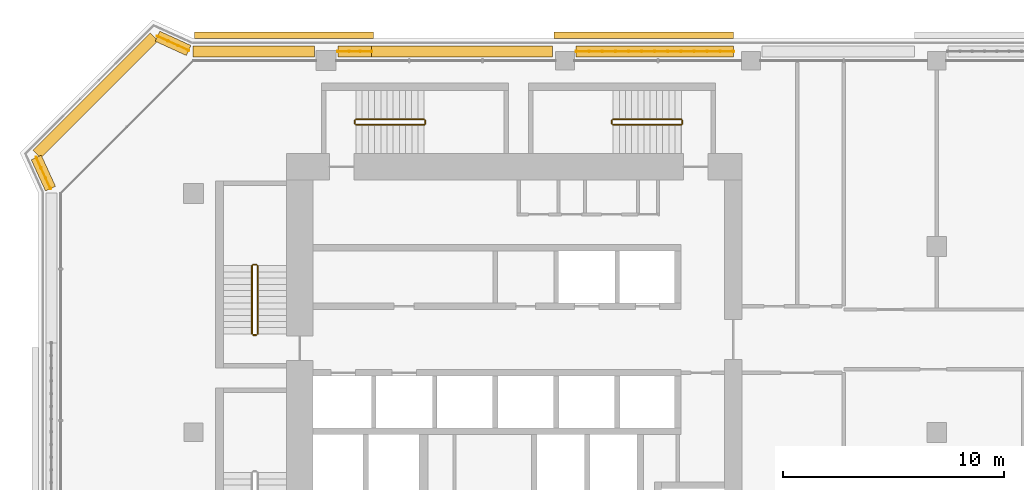
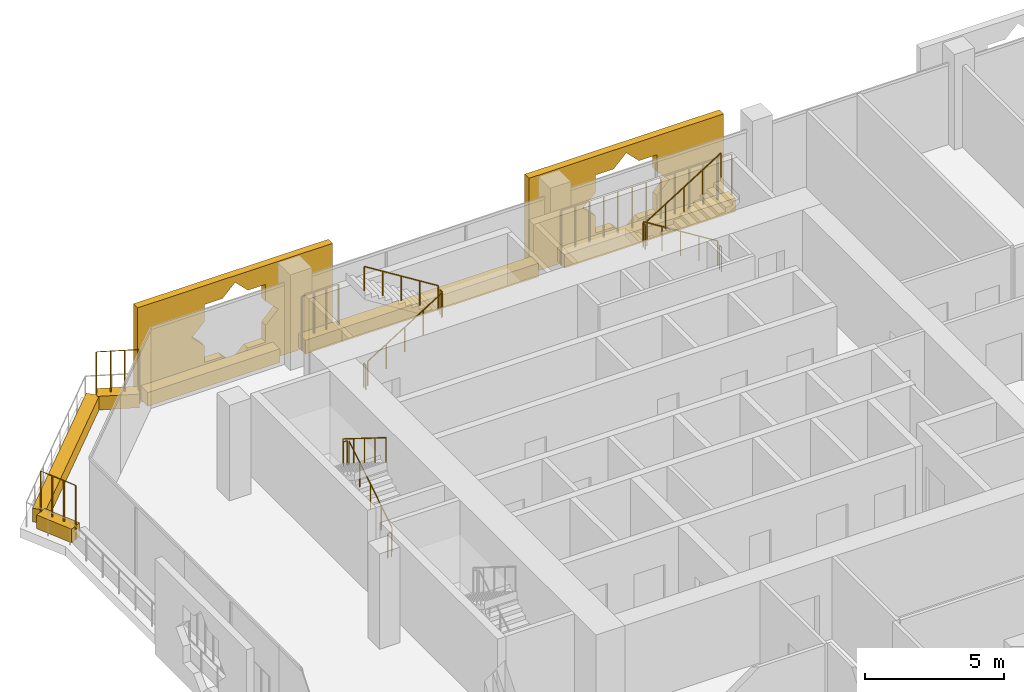
# One storey, part 20 of 22: 16 railings, 9 coverings.
"""IFC4 building model written with IfcOpenShell, lengths in metres."""

import ifcopenshell
import ifcopenshell.guid

model = None  # the IFC model being written
_history = None  # IfcOwnerHistory: only IFC2X3 demands one
_inside = {}  # id of a spatial element -> (the spatial element, [elements in it])
_under = {}  # id of a project, library or spatial element -> (it, [spatial elements below it])
_declared = {}  # id of a project -> (the project, [libraries it declares])
_typed = {}  # id of a type object -> (the type object, [elements of that type])
_made_of = {}  # id of a material, layer set ... -> (it, [elements and type objects made of it])


def new_model(schema):
    """Start an empty IFC model of exactly this schema.

    Asked for "IFC4X3", IfcOpenShell would pick the latest addendum, in which some entities
    have other attributes; the version numbers below select the first issue.
    IFC2X3 requires an IfcOwnerHistory on every rooted entity: one is made here for all.
    """
    global model, _history
    if schema == "IFC4X3":
        model = ifcopenshell.file(schema_version=(4, 3, 0, 0))
    else:
        model = ifcopenshell.file(schema=schema)
    _inside.clear()
    _under.clear()
    _declared.clear()
    _typed.clear()
    _made_of.clear()
    _history = None
    if model.schema == "IFC2X3":
        org = make("IfcOrganization", Name="unknown")
        user = make(
            "IfcPersonAndOrganization",
            ThePerson=make("IfcPerson", FamilyName="unknown"),
            TheOrganization=org,
        )
        app = make(
            "IfcApplication",
            ApplicationDeveloper=org,
            Version="unknown",
            ApplicationFullName="unknown",
            ApplicationIdentifier="unknown",
        )
        _history = make(
            "IfcOwnerHistory",
            OwningUser=user,
            OwningApplication=app,
            ChangeAction="ADDED",
            CreationDate=0,
        )
    return model


def make(cls, **values):
    """One entity of the class cls with the attributes given. An attribute that is None is left unset."""
    return model.create_entity(
        cls, **{name: value for name, value in values.items() if value is not None}
    )


def rooted(cls, **values):
    """An entity with a GlobalId (a new one), such as an element, a storey or a relation."""
    return make(cls, GlobalId=ifcopenshell.guid.new(), OwnerHistory=_history, **values)


def si_unit(unit_type, name, prefix=None):
    """IfcSIUnit, for example si_unit("LENGTHUNIT", "METRE", prefix="MILLI")."""
    return make("IfcSIUnit", UnitType=unit_type, Prefix=prefix, Name=name)


def assignment(units):
    """IfcUnitAssignment: the units of a project."""
    return None if units is None else make("IfcUnitAssignment", Units=units)


def point(xyz):
    """IfcCartesianPoint."""
    return None if xyz is None else make("IfcCartesianPoint", Coordinates=xyz)


def direction(xyz):
    """IfcDirection."""
    return None if xyz is None else make("IfcDirection", DirectionRatios=xyz)


def frame(location, z_axis=None, x_axis=None):
    """IfcAxis2Placement3D, a coordinate frame: its origin and axes. An axis left out is left unset."""
    return make(
        "IfcAxis2Placement3D",
        Location=point(location),
        Axis=direction(z_axis),
        RefDirection=direction(x_axis),
    )


def frame_2d(location, x_axis=None):
    """IfcAxis2Placement2D, a coordinate frame in the plane: its origin and x axis."""
    return make(
        "IfcAxis2Placement2D", Location=point(location), RefDirection=direction(x_axis)
    )


def origin():
    """The frame at (0, 0, 0) with its axes left unset."""
    return frame((0.0, 0.0, 0.0))


def origin_2d():
    """The frame at (0, 0) in the plane with its x axis left unset."""
    return frame_2d((0.0, 0.0))


def place(relative_to, where):
    """IfcLocalPlacement: puts the frame where relative to a parent placement (None: the world)."""
    return make(
        "IfcLocalPlacement", PlacementRelTo=relative_to, RelativePlacement=where
    )


def context(
    kind, dimensions, precision=None, world=None, true_north=None, identifier=None
):
    """IfcGeometricRepresentationContext, for example the 3D "Model" context."""
    return make(
        "IfcGeometricRepresentationContext",
        ContextIdentifier=identifier,
        ContextType=kind,
        CoordinateSpaceDimension=dimensions,
        Precision=precision,
        WorldCoordinateSystem=world,
        TrueNorth=true_north,
    )


def subcontext(parent, identifier, kind, view, scale=None):
    """IfcGeometricRepresentationSubContext, for example "Body" below "Model"."""
    return make(
        "IfcGeometricRepresentationSubContext",
        ContextIdentifier=identifier,
        ContextType=kind,
        ParentContext=parent,
        TargetScale=scale,
        TargetView=view,
    )


def project(units=None, contexts=None):
    """IfcProject with its units and contexts."""
    return rooted(
        "IfcProject",
        Name="project",
        RepresentationContexts=contexts,
        UnitsInContext=assignment(units),
    )


def spatial(cls, under=None, at=None, **own):
    """A site, building, storey or space (cls), placed at a placement, below another one or the project."""
    s = rooted(cls, ObjectPlacement=at, **own)
    if under is not None:
        _under.setdefault(under.id(), (under, []))[1].append(s)
    return s


def polyline(points):
    """IfcPolyline through the points."""
    return make("IfcPolyline", Points=[point(p) for p in points])


def profile(cls, at=None, kind="AREA", **sizes):
    """A parametric profile (cls). Its sizes go by their IFC names, for example OverallWidth=200.0."""
    return make(cls, ProfileType=kind, Position=at, **sizes)


def rectangle(**sizes):
    """IfcRectangleProfileDef."""
    return profile("IfcRectangleProfileDef", **sizes)


def circle(**sizes):
    """IfcCircleProfileDef."""
    return profile("IfcCircleProfileDef", **sizes)


def outline(outer, holes=None, kind="AREA"):
    """IfcArbitraryClosedProfileDef: a profile drawn as a closed curve; with holes, ...WithVoids."""
    if holes is None:
        return make("IfcArbitraryClosedProfileDef", ProfileType=kind, OuterCurve=outer)
    return make(
        "IfcArbitraryProfileDefWithVoids",
        ProfileType=kind,
        OuterCurve=outer,
        InnerCurves=holes,
    )


def extrude(swept, where, along, depth):
    """IfcExtrudedAreaSolid: the profile swept, set in the frame where, extruded along a direction by depth."""
    return make(
        "IfcExtrudedAreaSolid",
        SweptArea=swept,
        Position=where,
        ExtrudedDirection=direction(along),
        Depth=depth,
    )


def shape(context_of_items, identifier, shape_type, items):
    """IfcShapeRepresentation: the items that make up one representation, for example the "Body"."""
    return make(
        "IfcShapeRepresentation",
        ContextOfItems=context_of_items,
        RepresentationIdentifier=identifier,
        RepresentationType=shape_type,
        Items=items,
    )


def material(Name=None, Category=None):
    """IfcMaterial."""
    return make("IfcMaterial", Name=Name, Category=Category)


def material_profile(
    of_material, cross_section, Name=None, Category=None, Priority=None
):
    """IfcMaterialProfile: a cross section and its material."""
    return make(
        "IfcMaterialProfile",
        Name=Name,
        Material=of_material,
        Profile=cross_section,
        Priority=Priority,
        Category=Category,
    )


def profile_set(profiles, Name=None, composite=None):
    """IfcMaterialProfileSet."""
    return make(
        "IfcMaterialProfileSet",
        Name=Name,
        MaterialProfiles=profiles,
        CompositeProfile=composite,
    )


def made_of(thing, what):
    """Note that an element or type object is made of a material, layer set ...; save() writes the relation."""
    if what is not None:
        _made_of.setdefault(what.id(), (what, []))[1].append(thing)
    return thing


def type_object(cls, material=None, **own):
    """A type object (cls), such as IfcWallType, which elements share."""
    return made_of(rooted(cls, **own), material)


def element(
    cls,
    number,
    at=None,
    inside=None,
    cuts=None,
    type_object=None,
    material=None,
    context=None,
    identifier="Body",
    shape_type=None,
    held_by="IfcProductDefinitionShape",
    body=None,
    shapes=None,
    **own,
):
    """One element of the class cls, such as IfcWall. Its Tag is "e" and its number.

    at: its placement. inside: the storey or other place that contains it. cuts: it is an
    opening in that element (IfcRelVoidsElement). A single representation is given by context,
    identifier, shape_type and body (its items); several are given by shapes. held_by: the class
    of the entity that holds the representations. save() writes the other relations.
    """
    e = rooted(cls, Tag="e%d" % number, ObjectPlacement=at, **own)
    if body is not None:
        shapes = [shape(context, identifier, shape_type, body)]
    if shapes is not None:
        e.Representation = make(held_by, Representations=shapes)
    if inside is not None:
        _inside.setdefault(inside.id(), (inside, []))[1].append(e)
    if cuts is not None:
        rooted(
            "IfcRelVoidsElement", RelatingBuildingElement=cuts, RelatedOpeningElement=e
        )
    if type_object is not None:
        _typed.setdefault(type_object.id(), (type_object, []))[1].append(e)
    return made_of(e, material)


def aggregate(whole, parts):
    """IfcRelAggregates: a whole, such as a stair, and the parts it consists of."""
    return rooted("IfcRelAggregates", RelatingObject=whole, RelatedObjects=parts)


def save(model, path):
    """Write the relations noted so far, then the file.

    IfcRelAggregates (storeys below a building ...), IfcRelContainedInSpatialStructure (elements
    in a storey), IfcRelDefinesByType, IfcRelAssociatesMaterial and IfcRelDeclares: one each for
    every whole, place, type object, material and project.
    """
    for whole, parts in _under.values():
        aggregate(whole, parts)
    for where, things in _inside.values():
        rooted(
            "IfcRelContainedInSpatialStructure",
            RelatedElements=things,
            RelatingStructure=where,
        )
    for kind, things in _typed.values():
        rooted("IfcRelDefinesByType", RelatedObjects=things, RelatingType=kind)
    for what, things in _made_of.values():
        rooted("IfcRelAssociatesMaterial", RelatedObjects=things, RelatingMaterial=what)
    for by, libraries in _declared.values():
        rooted("IfcRelDeclares", RelatingContext=by, RelatedDefinitions=libraries)
    model.write(path)


model = new_model("IFC4")

# Units and contexts
model_context = context("Model", 3, precision=1e-05, world=origin(), true_north=direction((0.0, 1.0)))
body_context = subcontext(model_context, "Body", "Model", "MODEL_VIEW")
ifc_project = project(units=[si_unit("LENGTHUNIT", "METRE"), si_unit("AREAUNIT", "SQUARE_METRE"), si_unit("VOLUMEUNIT", "CUBIC_METRE"), si_unit("PLANEANGLEUNIT", "RADIAN"), si_unit("MASSUNIT", "GRAM", prefix="KILO")], contexts=[model_context])

# Site, building, storey
site_placement = place(None, origin())
site = spatial("IfcSite", under=ifc_project, at=site_placement, CompositionType="ELEMENT")
building_placement = place(site_placement, origin())
building = spatial("IfcBuilding", under=site, at=building_placement, Name="Kawkab Arch Medical Tower", CompositionType="ELEMENT")
storey_placement = place(building_placement, frame((0.0, 0.0, 255.800048828125)))
storey = spatial("IfcBuildingStorey", under=building, at=storey_placement, Name="L59", CompositionType="ELEMENT", Elevation=255.800048828125)

# Coverings
ifc_material_1 = material(Name="Bronze anodised aluminium mashrabiya panel, eight-point star pattern", Category="aluminium")
ifc_material_profile_1 = material_profile(ifc_material_1, outline(polyline([(-4.050048828125, -2.10009765625), (4.050048828125, -2.10009765625), (4.050048828125, 2.10009765625), (-4.050048828125, 2.10009765625), (-4.050048828125, -2.10009765625)]), holes=[polyline([(1.800048828125, 0.0), (1.272705078125, 0.527099609375), (1.272705078125, 1.272705078125), (0.527099609375, 1.272705078125), (0.0, 1.800048828125), (-0.527099609375, 1.272705078125), (-1.272705078125, 1.272705078125), (-1.272705078125, 0.527099609375), (-1.800048828125, 0.0), (-1.272705078125, -0.527099609375), (-1.272705078125, -1.272705078125), (-0.527099609375, -1.272705078125), (0.0, -1.800048828125), (0.527099609375, -1.272705078125), (1.272705078125, -1.272705078125), (1.272705078125, -0.527099609375), (1.800048828125, 0.0)])]), Name="Mashrabiya panel 8100x4200")
ifc_profile_set_1 = profile_set([ifc_material_profile_1], Name="Bronze anodised aluminium mashrabiya panel, eight-point star pattern")
covering_type_1 = type_object("IfcCoveringType", Name="Mashrabiya panel 8100 x 4200", PredefinedType="USERDEFINED", material=ifc_profile_set_1)
for number, where, z_axis, x_axis, name in (
    (1, (4.089599609375, 1.0, 1.699951171875), (0.0, 1.0, 0.0), (-1.0, 0.0, 0.0), "Mashrabiya panel L59.LOG-01-01.5"),
    (2, (20.3564453125, 1.0, 1.699951171875), (0.0, 1.0, 0.0), (-1.0, 0.0, 0.0), "Mashrabiya panel L59.LOG-01-01.6"),
):
    element("IfcCovering", number, at=place(storey_placement, frame(where, z_axis=z_axis, x_axis=x_axis)), inside=storey, type_object=covering_type_1, Name=name, ObjectType="SCREEN", PredefinedType="USERDEFINED", context=body_context, shape_type="SweptSolid", body=[
        extrude(outline(polyline([(-4.050048828125, -2.10009765625), (4.050048828125, -2.10009765625), (4.050048828125, 2.10009765625), (-4.050048828125, 2.10009765625), (-4.050048828125, -2.10009765625)]), holes=[polyline([(1.800048828125, 0.0), (1.272705078125, 0.527099609375), (1.272705078125, 1.272705078125), (0.527099609375, 1.272705078125), (0.0, 1.800048828125), (-0.527099609375, 1.272705078125), (-1.272705078125, 1.272705078125), (-1.272705078125, 0.527099609375), (-1.800048828125, 0.0), (-1.272705078125, -0.527099609375), (-1.272705078125, -1.272705078125), (-0.527099609375, -1.272705078125), (0.0, -1.800048828125), (0.527099609375, -1.272705078125), (1.272705078125, -1.272705078125), (1.272705078125, -0.527099609375), (1.800048828125, 0.0)])]), origin(), (0.0, 0.0, 1.0), 0.300048828125),
    ])
ifc_material_2 = material(Name="Planting soil in a precast trough", Category="concrete")
ifc_material_profile_2 = material_profile(ifc_material_2, rectangle(XDim=0.5, YDim=0.60009765625, at=origin_2d()), Name="Trough 500x600")
ifc_profile_set_2 = profile_set([ifc_material_profile_2], Name="Planting soil in a precast trough")
covering_type_2 = type_object("IfcCoveringType", Name="Planter trough 500 x 600", PredefinedType="USERDEFINED", material=ifc_profile_set_2)
covering_1_placement = place(storey_placement, frame((-6.4609375, -5.782958984375, 0.300048828125), z_axis=(-0.415363486165, 0.909655525109, 0.0), x_axis=(-0.909655525109, -0.415363486165, 0.0)))
element("IfcCovering", 3, at=covering_1_placement, inside=storey, type_object=covering_type_2, Name="Planter L59.LOG-01-01.13", ObjectType="PLANTER", PredefinedType="USERDEFINED", context=body_context, shape_type="SweptSolid", body=[
    extrude(rectangle(XDim=0.5, YDim=0.60009765625, at=origin_2d()), origin(), (0.0, 0.0, 1.0), 1.54345703125),
])
covering_2_placement = place(storey_placement, frame((-7.072998046875, -4.217041015625, 0.300048828125), z_axis=(0.707106781187, 0.707106781187, 0.0), x_axis=(-0.707106781187, 0.707106781187, 0.0)))
element("IfcCovering", 4, at=covering_2_placement, inside=storey, type_object=covering_type_2, Name="Planter L59.LOG-01-01.14", ObjectType="PLANTER", PredefinedType="USERDEFINED", context=body_context, shape_type="SweptSolid", body=[
    extrude(rectangle(XDim=0.5, YDim=0.60009765625, at=origin_2d()), origin(), (0.0, 0.0, 1.0), 7.481201171875),
])
covering_3_placement = place(storey_placement, frame((-1.62109375, 1.10205078125, 0.300048828125), z_axis=(0.909655525109, -0.415363486165, 0.0), x_axis=(0.415363486165, 0.909655525109, 0.0)))
element("IfcCovering", 5, at=covering_3_placement, inside=storey, type_object=covering_type_2, Name="Planter L59.LOG-01-01.15", ObjectType="PLANTER", PredefinedType="USERDEFINED", context=body_context, shape_type="SweptSolid", body=[
    extrude(rectangle(XDim=0.5, YDim=0.60009765625, at=origin_2d()), origin(), (0.0, 0.0, 1.0), 1.54345703125),
])
covering_4_placement = place(storey_placement, frame((-0.02587890625, 0.419921875, 0.300048828125), z_axis=(1.0, 0.0, 0.0), x_axis=(0.0, 1.0, 0.0)))
element("IfcCovering", 6, at=covering_4_placement, inside=storey, type_object=covering_type_2, Name="Planter L59.LOG-01-01.16", ObjectType="PLANTER", PredefinedType="USERDEFINED", context=body_context, shape_type="SweptSolid", body=[
    extrude(rectangle(XDim=0.5, YDim=0.60009765625, at=origin_2d()), origin(), (0.0, 0.0, 1.0), 5.495849609375),
])
covering_5_placement = place(storey_placement, frame((6.530029296875, 0.419921875, 0.300048828125), z_axis=(1.0, 0.0, 0.0), x_axis=(0.0, 1.0, 0.0)))
element("IfcCovering", 7, at=covering_5_placement, inside=storey, type_object=covering_type_2, Name="Planter L59.LOG-01-01.17", ObjectType="PLANTER", PredefinedType="USERDEFINED", context=body_context, shape_type="SweptSolid", body=[
    extrude(rectangle(XDim=0.5, YDim=0.60009765625, at=origin_2d()), origin(), (0.0, 0.0, 1.0), 1.52294921875),
])
covering_6_placement = place(storey_placement, frame((8.052978515625, 0.419921875, 0.300048828125), z_axis=(1.0, 0.0, 0.0), x_axis=(0.0, 1.0, 0.0)))
element("IfcCovering", 8, at=covering_6_placement, inside=storey, type_object=covering_type_2, Name="Planter L59.LOG-01-01.18", ObjectType="PLANTER", PredefinedType="USERDEFINED", context=body_context, shape_type="SweptSolid", body=[
    extrude(rectangle(XDim=0.5, YDim=0.60009765625, at=origin_2d()), origin(), (0.0, 0.0, 1.0), 8.178955078125),
])
covering_7_placement = place(storey_placement, frame((17.304931640625, 0.419921875, 0.300048828125), z_axis=(1.0, 0.0, 0.0), x_axis=(0.0, 1.0, 0.0)))
element("IfcCovering", 9, at=covering_7_placement, inside=storey, type_object=covering_type_2, Name="Planter L59.LOG-01-01.19", ObjectType="PLANTER", PredefinedType="USERDEFINED", context=body_context, shape_type="SweptSolid", body=[
    extrude(rectangle(XDim=0.5, YDim=0.60009765625, at=origin_2d()), origin(), (0.0, 0.0, 1.0), 7.10595703125),
])

# Railings
ifc_material_3 = material(Name="Bronze anodised aluminium trellis for climbing plants", Category="aluminium")
railing_type_1 = type_object("IfcRailingType", Name="Planting trellis 2400", PredefinedType="USERDEFINED", material=ifc_material_3)
railing_1_placement = place(storey_placement, frame((-6.4609375, -5.782958984375, 0.0)))
element("IfcRailing", 10, at=railing_1_placement, inside=storey, type_object=railing_type_1, Name="Planting trellis L59.LOG-01-01.13", ObjectType="TRELLIS", PredefinedType="USERDEFINED", context=body_context, shape_type="SweptSolid", body=[
    extrude(circle(Radius=0.01513671875, at=origin_2d()), frame((0.0, 0.0, 2.384765625), z_axis=(-0.415363486165, 0.909655525109, 0.0), x_axis=(-0.909655525109, -0.415363486165, 0.0)), (0.0, 0.0, 1.0), 1.54345703125),
    extrude(circle(Radius=0.030029296875, at=origin_2d()), origin(), (0.0, 0.0, 1.0), 2.369873046875),
    extrude(circle(Radius=0.030029296875, at=origin_2d()), frame((-0.213623046875, 0.468017578125, 0.0)), (0.0, 0.0, 1.0), 2.369873046875),
    extrude(circle(Radius=0.030029296875, at=origin_2d()), frame((-0.427490234375, 0.93603515625, 0.0)), (0.0, 0.0, 1.0), 2.369873046875),
    extrude(circle(Radius=0.030029296875, at=origin_2d()), frame((-0.64111328125, 1.404052734375, 0.0)), (0.0, 0.0, 1.0), 2.369873046875),
])
railing_2_placement = place(storey_placement, frame((-1.62109375, 1.10205078125, 0.0)))
element("IfcRailing", 11, at=railing_2_placement, inside=storey, type_object=railing_type_1, Name="Planting trellis L59.LOG-01-01.15", ObjectType="TRELLIS", PredefinedType="USERDEFINED", context=body_context, shape_type="SweptSolid", body=[
    extrude(circle(Radius=0.01513671875, at=origin_2d()), frame((0.0, 0.0, 2.384765625), z_axis=(0.909655525109, -0.415363486165, 0.0), x_axis=(0.415363486165, 0.909655525109, 0.0)), (0.0, 0.0, 1.0), 1.54345703125),
    extrude(circle(Radius=0.030029296875, at=origin_2d()), origin(), (0.0, 0.0, 1.0), 2.369873046875),
    extrude(circle(Radius=0.030029296875, at=origin_2d()), frame((0.468017578125, -0.213623046875, 0.0)), (0.0, 0.0, 1.0), 2.369873046875),
    extrude(circle(Radius=0.030029296875, at=origin_2d()), frame((0.93603515625, -0.427490234375, 0.0)), (0.0, 0.0, 1.0), 2.369873046875),
    extrude(circle(Radius=0.030029296875, at=origin_2d()), frame((1.404052734375, -0.64111328125, 0.0)), (0.0, 0.0, 1.0), 2.369873046875),
])
railing_3_placement = place(storey_placement, frame((6.530029296875, 0.419921875, 0.0)))
element("IfcRailing", 12, at=railing_3_placement, inside=storey, type_object=railing_type_1, Name="Planting trellis L59.LOG-01-01.17", ObjectType="TRELLIS", PredefinedType="USERDEFINED", context=body_context, shape_type="SweptSolid", body=[
    extrude(circle(Radius=0.01513671875, at=origin_2d()), frame((0.0, 0.0, 2.384765625), z_axis=(1.0, 0.0, 0.0), x_axis=(0.0, 1.0, 0.0)), (0.0, 0.0, 1.0), 1.52294921875),
    extrude(circle(Radius=0.030029296875, at=origin_2d()), origin(), (0.0, 0.0, 1.0), 2.369873046875),
    extrude(circle(Radius=0.030029296875, at=origin_2d()), frame((0.507568359375, 0.0, 0.0)), (0.0, 0.0, 1.0), 2.369873046875),
    extrude(circle(Radius=0.030029296875, at=origin_2d()), frame((1.015380859375, 0.0, 0.0)), (0.0, 0.0, 1.0), 2.369873046875),
    extrude(circle(Radius=0.030029296875, at=origin_2d()), frame((1.52294921875, 0.0, 0.0)), (0.0, 0.0, 1.0), 2.369873046875),
])
railing_4_placement = place(storey_placement, frame((17.304931640625, 0.419921875, 0.0)))
element("IfcRailing", 13, at=railing_4_placement, inside=storey, type_object=railing_type_1, Name="Planting trellis L59.LOG-01-01.19", ObjectType="TRELLIS", PredefinedType="USERDEFINED", context=body_context, shape_type="SweptSolid", body=[
    extrude(circle(Radius=0.01513671875, at=origin_2d()), frame((0.0, 0.0, 2.384765625), z_axis=(1.0, 0.0, 0.0), x_axis=(0.0, 1.0, 0.0)), (0.0, 0.0, 1.0), 7.10595703125),
    extrude(circle(Radius=0.030029296875, at=origin_2d()), origin(), (0.0, 0.0, 1.0), 2.369873046875),
    extrude(circle(Radius=0.030029296875, at=origin_2d()), frame((0.59228515625, 0.0, 0.0)), (0.0, 0.0, 1.0), 2.369873046875),
    extrude(circle(Radius=0.030029296875, at=origin_2d()), frame((1.184326171875, 0.0, 0.0)), (0.0, 0.0, 1.0), 2.369873046875),
    extrude(circle(Radius=0.030029296875, at=origin_2d()), frame((1.7763671875, 0.0, 0.0)), (0.0, 0.0, 1.0), 2.369873046875),
    extrude(circle(Radius=0.030029296875, at=origin_2d()), frame((2.36865234375, 0.0, 0.0)), (0.0, 0.0, 1.0), 2.369873046875),
    extrude(circle(Radius=0.030029296875, at=origin_2d()), frame((2.9609375, 0.0, 0.0)), (0.0, 0.0, 1.0), 2.369873046875),
    extrude(circle(Radius=0.030029296875, at=origin_2d()), frame((3.552978515625, 0.0, 0.0)), (0.0, 0.0, 1.0), 2.369873046875),
    extrude(circle(Radius=0.030029296875, at=origin_2d()), frame((4.14501953125, 0.0, 0.0)), (0.0, 0.0, 1.0), 2.369873046875),
    extrude(circle(Radius=0.030029296875, at=origin_2d()), frame((4.7373046875, 0.0, 0.0)), (0.0, 0.0, 1.0), 2.369873046875),
    extrude(circle(Radius=0.030029296875, at=origin_2d()), frame((5.32958984375, 0.0, 0.0)), (0.0, 0.0, 1.0), 2.369873046875),
    extrude(circle(Radius=0.030029296875, at=origin_2d()), frame((5.921630859375, 0.0, 0.0)), (0.0, 0.0, 1.0), 2.369873046875),
    extrude(circle(Radius=0.030029296875, at=origin_2d()), frame((6.513671875, 0.0, 0.0)), (0.0, 0.0, 1.0), 2.369873046875),
    extrude(circle(Radius=0.030029296875, at=origin_2d()), frame((7.10595703125, 0.0, 0.0)), (0.0, 0.0, 1.0), 2.369873046875),
])
ifc_material_4 = material(Name="Stainless steel", Category="steel")
railing_type_2 = type_object("IfcRailingType", Name="Stair guard 1100", PredefinedType="GUARDRAIL", material=ifc_material_4)
railing_5_placement = place(storey_placement, frame((2.89990234375, -12.35009765625, 0.175048828125)))
element("IfcRailing", 14, at=railing_5_placement, inside=storey, type_object=railing_type_2, Name="L59 ST1 stair guard 1", PredefinedType="GUARDRAIL", context=body_context, shape_type="SweptSolid", body=[
    extrude(circle(Radius=0.02392578125, at=origin_2d()), frame((0.0, 0.0, 1.076171875), z_axis=(0.0, 0.848028513186, 0.529950602248), x_axis=(-1.0, 0.0, 0.0)), (0.0, 0.0, 1.0), 3.632080078125),
    extrude(circle(Radius=0.02099609375, at=origin_2d()), origin(), (0.0, 0.0, 1.0), 1.052001953125),
    extrude(circle(Radius=0.02099609375, at=origin_2d()), frame((0.0, 0.77001953125, 0.481201171875)), (0.0, 0.0, 1.0), 1.052001953125),
    extrude(circle(Radius=0.02099609375, at=origin_2d()), frame((0.0, 1.5400390625, 0.96240234375)), (0.0, 0.0, 1.0), 1.052001953125),
    extrude(circle(Radius=0.02099609375, at=origin_2d()), frame((0.0, 2.31005859375, 1.443603515625)), (0.0, 0.0, 1.0), 1.052001953125),
    extrude(circle(Radius=0.02099609375, at=origin_2d()), frame((0.0, 3.080078125, 1.9248046875)), (0.0, 0.0, 1.0), 1.052001953125),
])
railing_6_placement = place(storey_placement, frame((2.85009765625, -9.219970703125, 2.099853515625)))
element("IfcRailing", 15, at=railing_6_placement, inside=storey, type_object=railing_type_2, Name="L59 ST1 stair guard 2", PredefinedType="GUARDRAIL", context=body_context, shape_type="SweptSolid", body=[
    extrude(circle(Radius=0.02392578125, at=origin_2d()), frame((0.0, 0.0, 1.076171875), z_axis=(-1.0, 0.0, 0.0), x_axis=(0.0, -1.0, 0.0)), (0.0, 0.0, 1.0), 0.150146484375),
    extrude(circle(Radius=0.02099609375, at=origin_2d()), origin(), (0.0, 0.0, 1.0), 1.052001953125),
    extrude(circle(Radius=0.02099609375, at=origin_2d()), frame((-0.150146484375, 0.0, 0.0)), (0.0, 0.0, 1.0), 1.052001953125),
])
railing_7_placement = place(storey_placement, frame((2.64990234375, -9.27001953125, 2.27490234375)))
element("IfcRailing", 16, at=railing_7_placement, inside=storey, type_object=railing_type_2, Name="L59 ST1 stair guard 3", PredefinedType="GUARDRAIL", context=body_context, shape_type="SweptSolid", body=[
    extrude(circle(Radius=0.02392578125, at=origin_2d()), frame((0.0, 0.0, 1.076171875), z_axis=(0.0, -0.847998304005, 0.529998940003), x_axis=(1.0, 0.0, 0.0)), (0.0, 0.0, 1.0), 3.632080078125),
    extrude(circle(Radius=0.02099609375, at=origin_2d()), origin(), (0.0, 0.0, 1.0), 1.052001953125),
    extrude(circle(Radius=0.02099609375, at=origin_2d()), frame((0.0, -0.77001953125, 0.481201171875)), (0.0, 0.0, 1.0), 1.052001953125),
    extrude(circle(Radius=0.02099609375, at=origin_2d()), frame((0.0, -1.5400390625, 0.96240234375)), (0.0, 0.0, 1.0), 1.052001953125),
    extrude(circle(Radius=0.02099609375, at=origin_2d()), frame((0.0, -2.31005859375, 1.44384765625)), (0.0, 0.0, 1.0), 1.052001953125),
    extrude(circle(Radius=0.02099609375, at=origin_2d()), frame((0.0, -3.080078125, 1.925048828125)), (0.0, 0.0, 1.0), 1.052001953125),
])
railing_8_placement = place(storey_placement, frame((2.85009765625, -12.39990234375, 0.0)))
element("IfcRailing", 17, at=railing_8_placement, inside=storey, type_object=railing_type_2, Name="L59 ST1 stair guard 4", PredefinedType="GUARDRAIL", context=body_context, shape_type="SweptSolid", body=[
    extrude(circle(Radius=0.02392578125, at=origin_2d()), frame((0.0, 0.0, 1.076171875), z_axis=(-1.0, 0.0, 0.0), x_axis=(0.0, -1.0, 0.0)), (0.0, 0.0, 1.0), 0.150146484375),
    extrude(circle(Radius=0.02099609375, at=origin_2d()), origin(), (0.0, 0.0, 1.0), 1.052001953125),
    extrude(circle(Radius=0.02099609375, at=origin_2d()), frame((-0.150146484375, 0.0, 0.0)), (0.0, 0.0, 1.0), 1.052001953125),
])
railing_9_placement = place(storey_placement, frame((7.35009765625, -2.89990234375, 0.175048828125)))
element("IfcRailing", 18, at=railing_9_placement, inside=storey, type_object=railing_type_2, Name="L59 ST3 stair guard 1", PredefinedType="GUARDRAIL", context=body_context, shape_type="SweptSolid", body=[
    extrude(circle(Radius=0.02392578125, at=origin_2d()), frame((0.0, 0.0, 1.076171875), z_axis=(0.848009633417, 0.0, 0.529980812513), x_axis=(0.0, 1.0, 0.0)), (0.0, 0.0, 1.0), 3.6318359375),
    extrude(circle(Radius=0.02099609375, at=origin_2d()), origin(), (0.0, 0.0, 1.0), 1.052001953125),
    extrude(circle(Radius=0.02099609375, at=origin_2d()), frame((0.77001953125, 0.0, 0.481201171875)), (0.0, 0.0, 1.0), 1.052001953125),
    extrude(circle(Radius=0.02099609375, at=origin_2d()), frame((1.5400390625, 0.0, 0.96240234375)), (0.0, 0.0, 1.0), 1.052001953125),
    extrude(circle(Radius=0.02099609375, at=origin_2d()), frame((2.309814453125, 0.0, 1.443603515625)), (0.0, 0.0, 1.0), 1.052001953125),
    extrude(circle(Radius=0.02099609375, at=origin_2d()), frame((3.079833984375, 0.0, 1.9248046875)), (0.0, 0.0, 1.0), 1.052001953125),
])
railing_10_placement = place(storey_placement, frame((10.47998046875, -2.85009765625, 2.099853515625)))
element("IfcRailing", 19, at=railing_10_placement, inside=storey, type_object=railing_type_2, Name="L59 ST3 stair guard 2", PredefinedType="GUARDRAIL", context=body_context, shape_type="SweptSolid", body=[
    extrude(circle(Radius=0.02392578125, at=origin_2d()), frame((0.0, 0.0, 1.076171875), z_axis=(0.0, 1.0, 0.0), x_axis=(-1.0, 0.0, 0.0)), (0.0, 0.0, 1.0), 0.150146484375),
    extrude(circle(Radius=0.02099609375, at=origin_2d()), origin(), (0.0, 0.0, 1.0), 1.052001953125),
    extrude(circle(Radius=0.02099609375, at=origin_2d()), frame((0.0, 0.150146484375, 0.0)), (0.0, 0.0, 1.0), 1.052001953125),
])
railing_11_placement = place(storey_placement, frame((10.429931640625, -2.64990234375, 2.27490234375)))
element("IfcRailing", 20, at=railing_11_placement, inside=storey, type_object=railing_type_2, Name="L59 ST3 stair guard 3", PredefinedType="GUARDRAIL", context=body_context, shape_type="SweptSolid", body=[
    extrude(circle(Radius=0.02392578125, at=origin_2d()), frame((0.0, 0.0, 1.076171875), z_axis=(-0.847979421464, 0.0, 0.530029150871), x_axis=(0.0, -1.0, 0.0)), (0.0, 0.0, 1.0), 3.632080078125),
    extrude(circle(Radius=0.02099609375, at=origin_2d()), origin(), (0.0, 0.0, 1.0), 1.052001953125),
    extrude(circle(Radius=0.02099609375, at=origin_2d()), frame((-0.77001953125, 0.0, 0.481201171875)), (0.0, 0.0, 1.0), 1.052001953125),
    extrude(circle(Radius=0.02099609375, at=origin_2d()), frame((-1.5400390625, 0.0, 0.96240234375)), (0.0, 0.0, 1.0), 1.052001953125),
    extrude(circle(Radius=0.02099609375, at=origin_2d()), frame((-2.309814453125, 0.0, 1.44384765625)), (0.0, 0.0, 1.0), 1.052001953125),
    extrude(circle(Radius=0.02099609375, at=origin_2d()), frame((-3.079833984375, 0.0, 1.925048828125)), (0.0, 0.0, 1.0), 1.052001953125),
])
railing_12_placement = place(storey_placement, frame((7.300048828125, -2.85009765625, 0.0)))
element("IfcRailing", 21, at=railing_12_placement, inside=storey, type_object=railing_type_2, Name="L59 ST3 stair guard 4", PredefinedType="GUARDRAIL", context=body_context, shape_type="SweptSolid", body=[
    extrude(circle(Radius=0.02392578125, at=origin_2d()), frame((0.0, 0.0, 1.076171875), z_axis=(0.0, 1.0, 0.0), x_axis=(-1.0, 0.0, 0.0)), (0.0, 0.0, 1.0), 0.150146484375),
    extrude(circle(Radius=0.02099609375, at=origin_2d()), origin(), (0.0, 0.0, 1.0), 1.052001953125),
    extrude(circle(Radius=0.02099609375, at=origin_2d()), frame((0.0, 0.150146484375, 0.0)), (0.0, 0.0, 1.0), 1.052001953125),
])
railing_13_placement = place(storey_placement, frame((22.050048828125, -2.64990234375, 0.175048828125)))
element("IfcRailing", 22, at=railing_13_placement, inside=storey, type_object=railing_type_2, Name="L59 ST4 stair guard 1", PredefinedType="GUARDRAIL", context=body_context, shape_type="SweptSolid", body=[
    extrude(circle(Radius=0.02392578125, at=origin_2d()), frame((0.0, 0.0, 1.076171875), z_axis=(-0.848028513186, 0.0, 0.529950602248), x_axis=(0.0, -1.0, 0.0)), (0.0, 0.0, 1.0), 3.632080078125),
    extrude(circle(Radius=0.02099609375, at=origin_2d()), origin(), (0.0, 0.0, 1.0), 1.052001953125),
    extrude(circle(Radius=0.02099609375, at=origin_2d()), frame((-0.77001953125, 0.0, 0.481201171875)), (0.0, 0.0, 1.0), 1.052001953125),
    extrude(circle(Radius=0.02099609375, at=origin_2d()), frame((-1.5400390625, 0.0, 0.96240234375)), (0.0, 0.0, 1.0), 1.052001953125),
    extrude(circle(Radius=0.02099609375, at=origin_2d()), frame((-2.31005859375, 0.0, 1.443603515625)), (0.0, 0.0, 1.0), 1.052001953125),
    extrude(circle(Radius=0.02099609375, at=origin_2d()), frame((-3.080078125, 0.0, 1.9248046875)), (0.0, 0.0, 1.0), 1.052001953125),
])
railing_14_placement = place(storey_placement, frame((18.919921875, -2.699951171875, 2.099853515625)))
element("IfcRailing", 23, at=railing_14_placement, inside=storey, type_object=railing_type_2, Name="L59 ST4 stair guard 2", PredefinedType="GUARDRAIL", context=body_context, shape_type="SweptSolid", body=[
    extrude(circle(Radius=0.02392578125, at=origin_2d()), frame((0.0, 0.0, 1.076171875), z_axis=(0.0, -1.0, 0.0), x_axis=(1.0, 0.0, 0.0)), (0.0, 0.0, 1.0), 0.150146484375),
    extrude(circle(Radius=0.02099609375, at=origin_2d()), origin(), (0.0, 0.0, 1.0), 1.052001953125),
    extrude(circle(Radius=0.02099609375, at=origin_2d()), frame((0.0, -0.150146484375, 0.0)), (0.0, 0.0, 1.0), 1.052001953125),
])
railing_15_placement = place(storey_placement, frame((18.969970703125, -2.89990234375, 2.27490234375)))
element("IfcRailing", 24, at=railing_15_placement, inside=storey, type_object=railing_type_2, Name="L59 ST4 stair guard 3", PredefinedType="GUARDRAIL", context=body_context, shape_type="SweptSolid", body=[
    extrude(circle(Radius=0.02392578125, at=origin_2d()), frame((0.0, 0.0, 1.076171875), z_axis=(0.847998304005, 0.0, 0.529998940003), x_axis=(0.0, 1.0, 0.0)), (0.0, 0.0, 1.0), 3.632080078125),
    extrude(circle(Radius=0.02099609375, at=origin_2d()), origin(), (0.0, 0.0, 1.0), 1.052001953125),
    extrude(circle(Radius=0.02099609375, at=origin_2d()), frame((0.77001953125, 0.0, 0.481201171875)), (0.0, 0.0, 1.0), 1.052001953125),
    extrude(circle(Radius=0.02099609375, at=origin_2d()), frame((1.5400390625, 0.0, 0.96240234375)), (0.0, 0.0, 1.0), 1.052001953125),
    extrude(circle(Radius=0.02099609375, at=origin_2d()), frame((2.31005859375, 0.0, 1.44384765625)), (0.0, 0.0, 1.0), 1.052001953125),
    extrude(circle(Radius=0.02099609375, at=origin_2d()), frame((3.080078125, 0.0, 1.925048828125)), (0.0, 0.0, 1.0), 1.052001953125),
])
railing_16_placement = place(storey_placement, frame((22.10009765625, -2.699951171875, 0.0)))
element("IfcRailing", 25, at=railing_16_placement, inside=storey, type_object=railing_type_2, Name="L59 ST4 stair guard 4", PredefinedType="GUARDRAIL", context=body_context, shape_type="SweptSolid", body=[
    extrude(circle(Radius=0.02392578125, at=origin_2d()), frame((0.0, 0.0, 1.076171875), z_axis=(0.0, -1.0, 0.0), x_axis=(1.0, 0.0, 0.0)), (0.0, 0.0, 1.0), 0.150146484375),
    extrude(circle(Radius=0.02099609375, at=origin_2d()), origin(), (0.0, 0.0, 1.0), 1.052001953125),
    extrude(circle(Radius=0.02099609375, at=origin_2d()), frame((0.0, -0.150146484375, 0.0)), (0.0, 0.0, 1.0), 1.052001953125),
])

save(model, "model.ifc")
